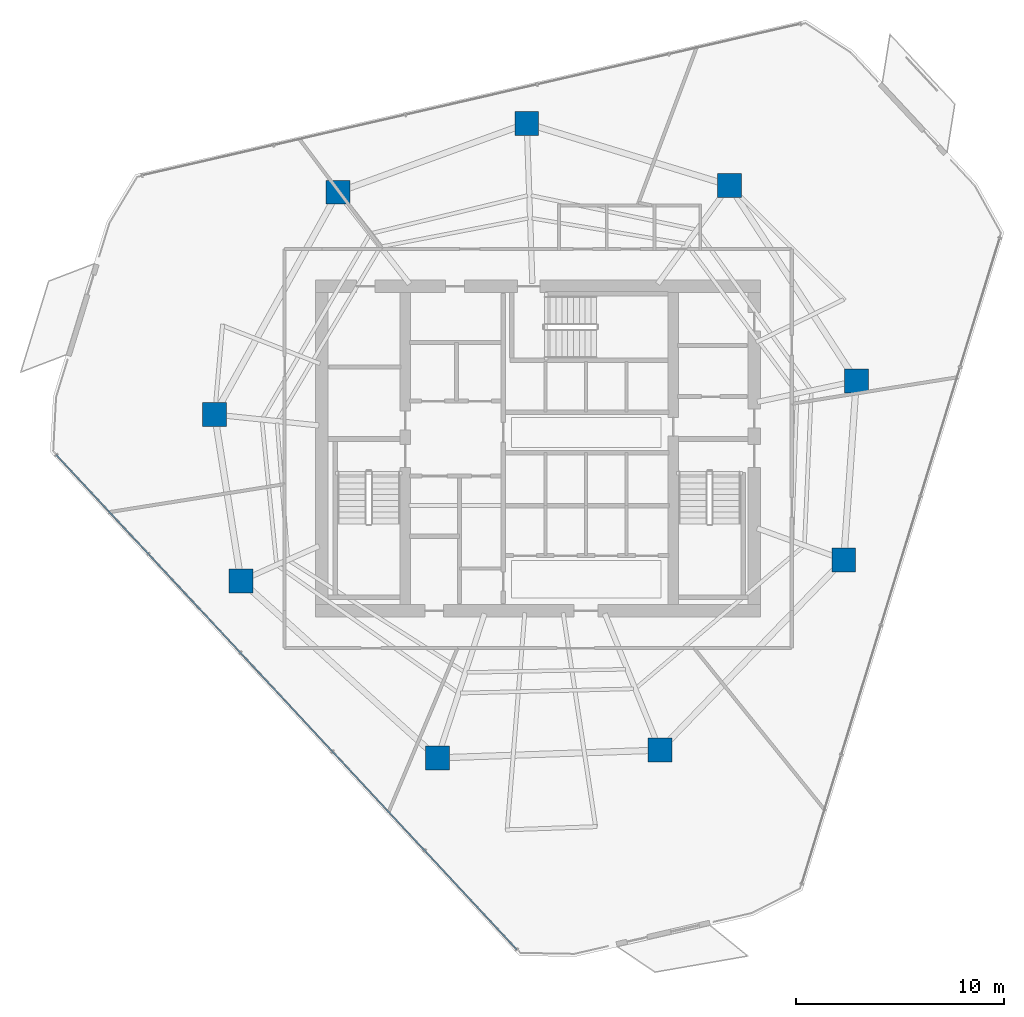
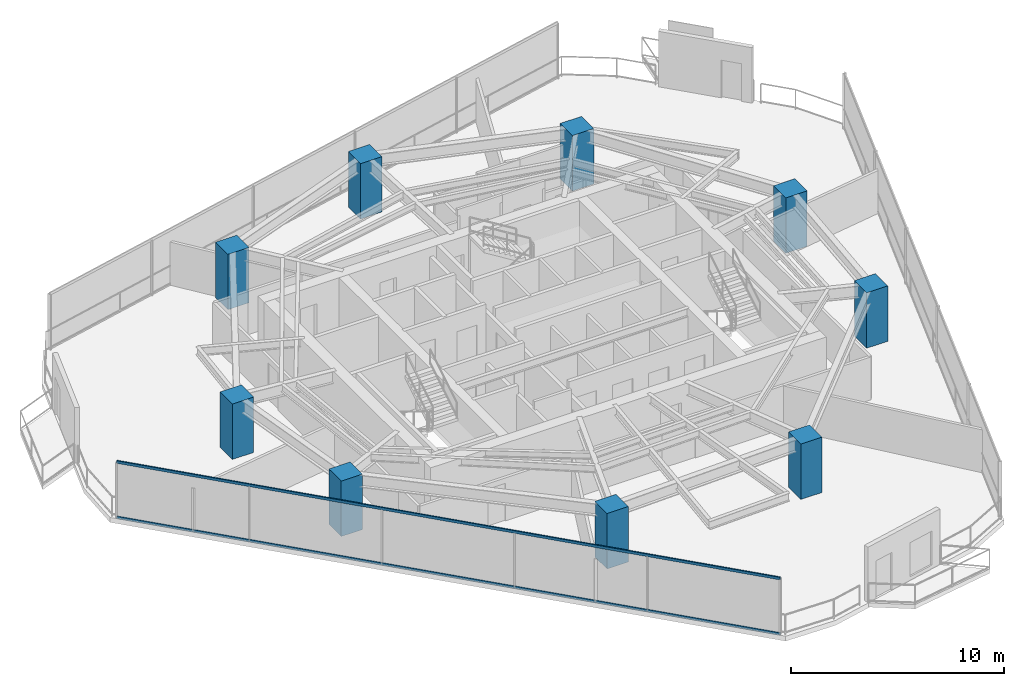
# One storey, part 1 of 23: 9 columns, 2 members, 1 element without a shape of its own.
"""IFC4 building model written with IfcOpenShell, lengths in metres."""

from ifc_helpers import new_model, si_unit, direction, frame, origin, origin_2d, place, context, subcontext, project, spatial, rectangle, hollow_rectangle, extrude, material, layer, layer_set, material_profile, profile_set, type_object, element, aggregate, save


model = new_model("IFC4")

# Units and contexts
model_context = context("Model", 3, precision=1e-05, world=origin(), true_north=direction((0.0, 1.0)))
body_context = subcontext(model_context, "Body", "Model", "MODEL_VIEW")
ifc_project = project(units=[si_unit("LENGTHUNIT", "METRE"), si_unit("AREAUNIT", "SQUARE_METRE"), si_unit("VOLUMEUNIT", "CUBIC_METRE"), si_unit("PLANEANGLEUNIT", "RADIAN"), si_unit("MASSUNIT", "GRAM", prefix="KILO")], contexts=[model_context])

# Site, building, storey
site_placement = place(None, origin())
site = spatial("IfcSite", under=ifc_project, at=site_placement, CompositionType="ELEMENT")
building_placement = place(site_placement, origin())
building = spatial("IfcBuilding", under=site, at=building_placement, Name="Qarnah Convention Tower", CompositionType="ELEMENT")
storey_placement = place(building_placement, frame((0.0, 0.0, 114.300048828125)))
storey = spatial("IfcBuildingStorey", under=building, at=storey_placement, Name="L30", CompositionType="ELEMENT", Elevation=114.300048828125)

# Columns
ifc_material_1 = material(Name="Concrete C60/75", Category="concrete")
ifc_material_profile_1 = material_profile(ifc_material_1, rectangle(XDim=1.14990234375, YDim=1.14990234375, at=origin_2d()), Name="RC-COL-1150X1150")
ifc_profile_set_1 = profile_set([ifc_material_profile_1], Name="Concrete C60/75")
column_type = type_object("IfcColumnType", Name="COL-Z2-1150", PredefinedType="COLUMN", material=ifc_profile_set_1)
for number, where, z_axis, x_axis, name in (
    (1, (52.508056640625, 29.654052734375, 0.0), (0.0, 0.0, 1.0), (1.0, 0.0, 0.0), "L30 plumb column PC-Z2-01"),
    (2, (46.39892578125, 39.06103515625, 0.0), (0.0, 0.0, 1.0), (1.0, 0.0, 0.0), "L30 plumb column PC-Z2-02"),
    (3, (36.654052734375, 42.0400390625, 0.0), (0.0, 0.0, 1.0), (1.0, 0.0, 0.0), "L30 plumb column PC-Z2-03"),
    (4, (27.56494140625, 38.73193359375, 0.0), (0.0, 0.0, 1.0), (1.0, 0.0, 0.0), "L30 plumb column PC-Z2-04"),
    (5, (21.635986328125, 28.035888671875, 0.0), (0.0, 0.0, 1.0), (1.0, 0.0, 0.0), "L30 plumb column PC-Z2-05"),
    (6, (22.903076171875, 20.034912109375, 0.0), (0.0, 0.0, 1.0), (1.0, 0.0, 0.0), "L30 plumb column PC-Z2-06"),
    (7, (32.364013671875, 11.51611328125, 0.0), (0.0, 0.0, 1.0), (1.0, 0.0, 0.0), "L30 plumb column PC-Z2-07"),
    (8, (43.06298828125, 11.889892578125, 0.0), (0.0, 0.0, 1.0), (1.0, 0.0, 0.0), "L30 plumb column PC-Z2-08"),
    (9, (51.906005859375, 21.047119140625, 0.0), (0.0, 0.0, 1.0), (1.0, 0.0, 0.0), "L30 plumb column PC-Z2-09"),
):
    element("IfcColumn", number, at=place(storey_placement, frame(where, z_axis=z_axis, x_axis=x_axis)), inside=storey, type_object=column_type, Name=name, PredefinedType="COLUMN", context=body_context, shape_type="SweptSolid", body=[
        extrude(rectangle(XDim=1.14990234375, YDim=1.14990234375, at=origin_2d()), origin(), (0.0, 0.0, 1.0), 3.169921875),
    ])

# Curtain wall, members
ifc_material_2 = material(Name="Tempered Low-E dark glass", Category="glass")
ifc_layer = layer(ifc_material_2, 0.169921875)
ifc_layer_set = layer_set([ifc_layer], Name="Tempered Low-E dark glass")
curtain_wall_type = type_object("IfcCurtainWallType", Name="CWS-02", PredefinedType="NOTDEFINED", material=ifc_layer_set)
curtain_wall_placement = place(storey_placement, origin())
curtain_wall = element("IfcCurtainWall", 10, at=curtain_wall_placement, inside=storey, type_object=curtain_wall_type, Name="L30 unitised curtain wall CW-L30-F1", PredefinedType="NOTDEFINED")
ifc_material_3 = material(Name="Black anodised aluminium", Category="aluminium")
ifc_material_profile_2 = material_profile(ifc_material_3, hollow_rectangle(XDim=0.06494140625, YDim=0.14990234375, WallThickness=0.00390625, at=origin_2d()), Name="TRN-65X150")
ifc_profile_set_2 = profile_set([ifc_material_profile_2], Name="Black anodised aluminium")
member_type = type_object("IfcMemberType", Name="TRN-T2", PredefinedType="USERDEFINED", material=ifc_profile_set_2)
member_1_placement = place(storey_placement, frame((36.174072265625, 2.299072265625, 0.0), z_axis=(-0.681483301981, 0.731833662195, 0.0), x_axis=(-0.731833662195, -0.681483301981, 0.0)))
member_1 = element("IfcMember", 11, at=member_1_placement, type_object=member_type, Name="CW-L30-F1 transom 1", ObjectType="TRANSOM", PredefinedType="USERDEFINED", context=body_context, shape_type="SweptSolid", body=[
    extrude(hollow_rectangle(XDim=0.06494140625, YDim=0.14990234375, WallThickness=0.00390625, at=origin_2d()), origin(), (0.0, 0.0, 1.0), 32.511474609375),
])
member_2_placement = place(storey_placement, frame((36.174072265625, 2.299072265625, 3.169921875), z_axis=(-0.681483301981, 0.731833662195, 0.0), x_axis=(-0.731833662195, -0.681483301981, 0.0)))
member_2 = element("IfcMember", 12, at=member_2_placement, type_object=member_type, Name="CW-L30-F1 transom 2", ObjectType="TRANSOM", PredefinedType="USERDEFINED", context=body_context, shape_type="SweptSolid", body=[
    extrude(hollow_rectangle(XDim=0.06494140625, YDim=0.14990234375, WallThickness=0.00390625, at=origin_2d()), origin(), (0.0, 0.0, 1.0), 32.511474609375),
])
aggregate(curtain_wall, [member_1, member_2])

save(model, "model.ifc")
